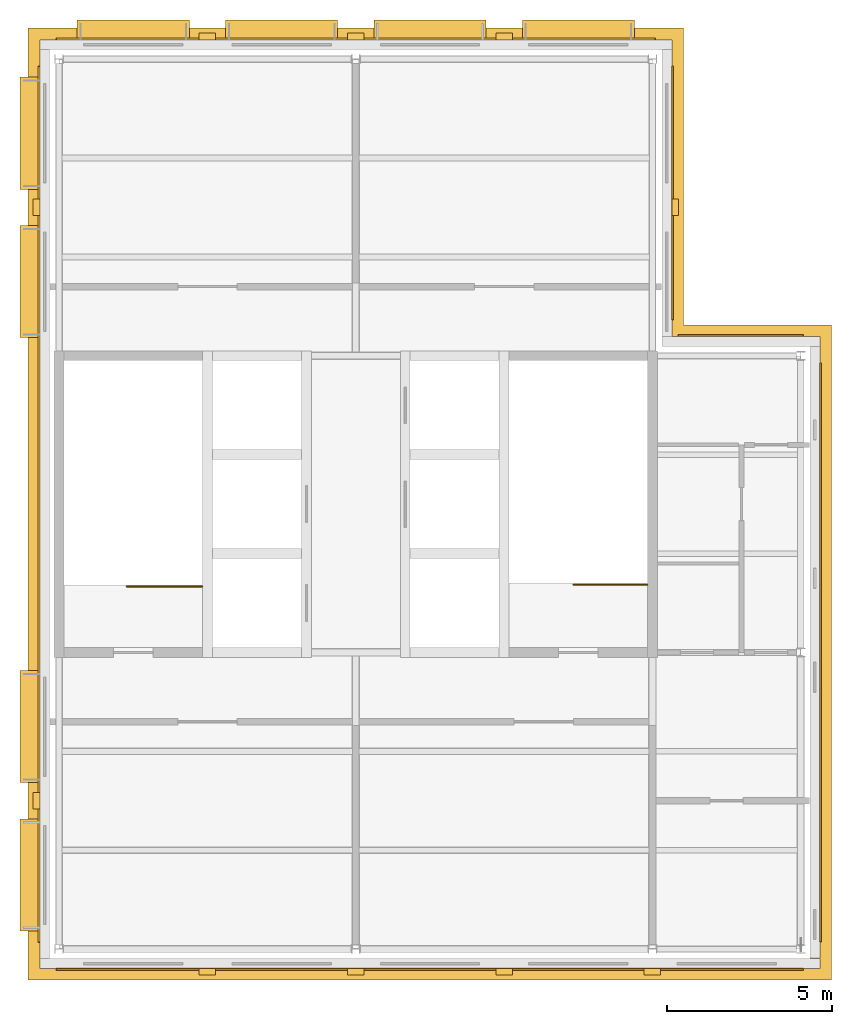
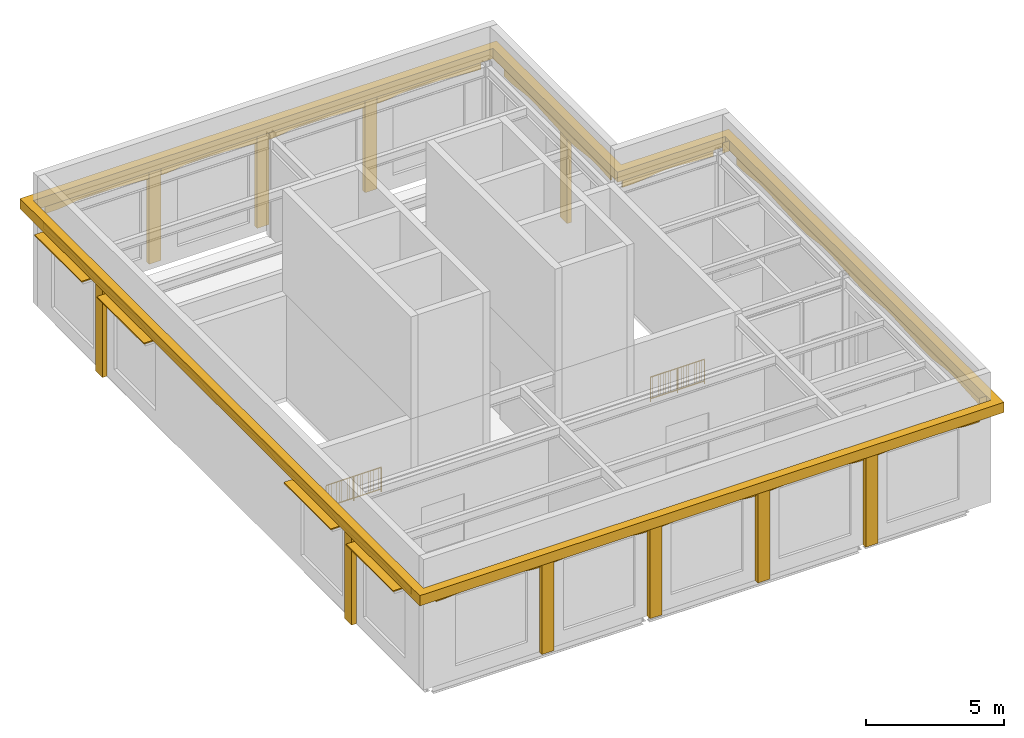
# One storey, part 4 of 4: 17 coverings, 8 shading devices, 2 railings.
"""IFC4 building model written with IfcOpenShell, lengths in metres."""

import ifcopenshell
import ifcopenshell.guid

model = None  # the IFC model being written
_history = None  # IfcOwnerHistory: only IFC2X3 demands one
_inside = {}  # id of a spatial element -> (the spatial element, [elements in it])
_under = {}  # id of a project, library or spatial element -> (it, [spatial elements below it])
_declared = {}  # id of a project -> (the project, [libraries it declares])
_typed = {}  # id of a type object -> (the type object, [elements of that type])
_made_of = {}  # id of a material, layer set ... -> (it, [elements and type objects made of it])


def new_model(schema):
    """Start an empty IFC model of exactly this schema.

    Asked for "IFC4X3", IfcOpenShell would pick the latest addendum, in which some entities
    have other attributes; the version numbers below select the first issue.
    IFC2X3 requires an IfcOwnerHistory on every rooted entity: one is made here for all.
    """
    global model, _history
    if schema == "IFC4X3":
        model = ifcopenshell.file(schema_version=(4, 3, 0, 0))
    else:
        model = ifcopenshell.file(schema=schema)
    _inside.clear()
    _under.clear()
    _declared.clear()
    _typed.clear()
    _made_of.clear()
    _history = None
    if model.schema == "IFC2X3":
        org = make("IfcOrganization", Name="unknown")
        user = make(
            "IfcPersonAndOrganization",
            ThePerson=make("IfcPerson", FamilyName="unknown"),
            TheOrganization=org,
        )
        app = make(
            "IfcApplication",
            ApplicationDeveloper=org,
            Version="unknown",
            ApplicationFullName="unknown",
            ApplicationIdentifier="unknown",
        )
        _history = make(
            "IfcOwnerHistory",
            OwningUser=user,
            OwningApplication=app,
            ChangeAction="ADDED",
            CreationDate=0,
        )
    return model


def make(cls, **values):
    """One entity of the class cls with the attributes given. An attribute that is None is left unset."""
    return model.create_entity(
        cls, **{name: value for name, value in values.items() if value is not None}
    )


def rooted(cls, **values):
    """An entity with a GlobalId (a new one), such as an element, a storey or a relation."""
    return make(cls, GlobalId=ifcopenshell.guid.new(), OwnerHistory=_history, **values)


def si_unit(unit_type, name, prefix=None):
    """IfcSIUnit, for example si_unit("LENGTHUNIT", "METRE", prefix="MILLI")."""
    return make("IfcSIUnit", UnitType=unit_type, Prefix=prefix, Name=name)


def assignment(units):
    """IfcUnitAssignment: the units of a project."""
    return None if units is None else make("IfcUnitAssignment", Units=units)


def point(xyz):
    """IfcCartesianPoint."""
    return None if xyz is None else make("IfcCartesianPoint", Coordinates=xyz)


def direction(xyz):
    """IfcDirection."""
    return None if xyz is None else make("IfcDirection", DirectionRatios=xyz)


def frame(location, z_axis=None, x_axis=None):
    """IfcAxis2Placement3D, a coordinate frame: its origin and axes. An axis left out is left unset."""
    return make(
        "IfcAxis2Placement3D",
        Location=point(location),
        Axis=direction(z_axis),
        RefDirection=direction(x_axis),
    )


def frame_2d(location, x_axis=None):
    """IfcAxis2Placement2D, a coordinate frame in the plane: its origin and x axis."""
    return make(
        "IfcAxis2Placement2D", Location=point(location), RefDirection=direction(x_axis)
    )


def origin():
    """The frame at (0, 0, 0) with its axes left unset."""
    return frame((0.0, 0.0, 0.0))


def origin_2d():
    """The frame at (0, 0) in the plane with its x axis left unset."""
    return frame_2d((0.0, 0.0))


def place(relative_to, where):
    """IfcLocalPlacement: puts the frame where relative to a parent placement (None: the world)."""
    return make(
        "IfcLocalPlacement", PlacementRelTo=relative_to, RelativePlacement=where
    )


def context(
    kind, dimensions, precision=None, world=None, true_north=None, identifier=None
):
    """IfcGeometricRepresentationContext, for example the 3D "Model" context."""
    return make(
        "IfcGeometricRepresentationContext",
        ContextIdentifier=identifier,
        ContextType=kind,
        CoordinateSpaceDimension=dimensions,
        Precision=precision,
        WorldCoordinateSystem=world,
        TrueNorth=true_north,
    )


def subcontext(parent, identifier, kind, view, scale=None):
    """IfcGeometricRepresentationSubContext, for example "Body" below "Model"."""
    return make(
        "IfcGeometricRepresentationSubContext",
        ContextIdentifier=identifier,
        ContextType=kind,
        ParentContext=parent,
        TargetScale=scale,
        TargetView=view,
    )


def project(units=None, contexts=None):
    """IfcProject with its units and contexts."""
    return rooted(
        "IfcProject",
        Name="project",
        RepresentationContexts=contexts,
        UnitsInContext=assignment(units),
    )


def spatial(cls, under=None, at=None, **own):
    """A site, building, storey or space (cls), placed at a placement, below another one or the project."""
    s = rooted(cls, ObjectPlacement=at, **own)
    if under is not None:
        _under.setdefault(under.id(), (under, []))[1].append(s)
    return s


def polyline(points):
    """IfcPolyline through the points."""
    return make("IfcPolyline", Points=[point(p) for p in points])


def profile(cls, at=None, kind="AREA", **sizes):
    """A parametric profile (cls). Its sizes go by their IFC names, for example OverallWidth=200.0."""
    return make(cls, ProfileType=kind, Position=at, **sizes)


def rectangle(**sizes):
    """IfcRectangleProfileDef."""
    return profile("IfcRectangleProfileDef", **sizes)


def circle(**sizes):
    """IfcCircleProfileDef."""
    return profile("IfcCircleProfileDef", **sizes)


def outline(outer, holes=None, kind="AREA"):
    """IfcArbitraryClosedProfileDef: a profile drawn as a closed curve; with holes, ...WithVoids."""
    if holes is None:
        return make("IfcArbitraryClosedProfileDef", ProfileType=kind, OuterCurve=outer)
    return make(
        "IfcArbitraryProfileDefWithVoids",
        ProfileType=kind,
        OuterCurve=outer,
        InnerCurves=holes,
    )


def extrude(swept, where, along, depth):
    """IfcExtrudedAreaSolid: the profile swept, set in the frame where, extruded along a direction by depth."""
    return make(
        "IfcExtrudedAreaSolid",
        SweptArea=swept,
        Position=where,
        ExtrudedDirection=direction(along),
        Depth=depth,
    )


def shape(context_of_items, identifier, shape_type, items):
    """IfcShapeRepresentation: the items that make up one representation, for example the "Body"."""
    return make(
        "IfcShapeRepresentation",
        ContextOfItems=context_of_items,
        RepresentationIdentifier=identifier,
        RepresentationType=shape_type,
        Items=items,
    )


def material(Name=None, Category=None):
    """IfcMaterial."""
    return make("IfcMaterial", Name=Name, Category=Category)


def layer(
    of_material, thickness, ventilated=None, Name=None, Category=None, Priority=None
):
    """IfcMaterialLayer: one layer of a wall or slab, of a material (None: an air gap)."""
    return make(
        "IfcMaterialLayer",
        Material=of_material,
        LayerThickness=thickness,
        IsVentilated=ventilated,
        Name=Name,
        Category=Category,
        Priority=Priority,
    )


def layer_set(layers, Name=None):
    """IfcMaterialLayerSet."""
    return make("IfcMaterialLayerSet", MaterialLayers=layers, LayerSetName=Name)


def made_of(thing, what):
    """Note that an element or type object is made of a material, layer set ...; save() writes the relation."""
    if what is not None:
        _made_of.setdefault(what.id(), (what, []))[1].append(thing)
    return thing


def type_object(cls, material=None, **own):
    """A type object (cls), such as IfcWallType, which elements share."""
    return made_of(rooted(cls, **own), material)


def element(
    cls,
    number,
    at=None,
    inside=None,
    cuts=None,
    type_object=None,
    material=None,
    context=None,
    identifier="Body",
    shape_type=None,
    held_by="IfcProductDefinitionShape",
    body=None,
    shapes=None,
    **own,
):
    """One element of the class cls, such as IfcWall. Its Tag is "e" and its number.

    at: its placement. inside: the storey or other place that contains it. cuts: it is an
    opening in that element (IfcRelVoidsElement). A single representation is given by context,
    identifier, shape_type and body (its items); several are given by shapes. held_by: the class
    of the entity that holds the representations. save() writes the other relations.
    """
    e = rooted(cls, Tag="e%d" % number, ObjectPlacement=at, **own)
    if body is not None:
        shapes = [shape(context, identifier, shape_type, body)]
    if shapes is not None:
        e.Representation = make(held_by, Representations=shapes)
    if inside is not None:
        _inside.setdefault(inside.id(), (inside, []))[1].append(e)
    if cuts is not None:
        rooted(
            "IfcRelVoidsElement", RelatingBuildingElement=cuts, RelatedOpeningElement=e
        )
    if type_object is not None:
        _typed.setdefault(type_object.id(), (type_object, []))[1].append(e)
    return made_of(e, material)


def aggregate(whole, parts):
    """IfcRelAggregates: a whole, such as a stair, and the parts it consists of."""
    return rooted("IfcRelAggregates", RelatingObject=whole, RelatedObjects=parts)


def save(model, path):
    """Write the relations noted so far, then the file.

    IfcRelAggregates (storeys below a building ...), IfcRelContainedInSpatialStructure (elements
    in a storey), IfcRelDefinesByType, IfcRelAssociatesMaterial and IfcRelDeclares: one each for
    every whole, place, type object, material and project.
    """
    for whole, parts in _under.values():
        aggregate(whole, parts)
    for where, things in _inside.values():
        rooted(
            "IfcRelContainedInSpatialStructure",
            RelatedElements=things,
            RelatingStructure=where,
        )
    for kind, things in _typed.values():
        rooted("IfcRelDefinesByType", RelatedObjects=things, RelatingType=kind)
    for what, things in _made_of.values():
        rooted("IfcRelAssociatesMaterial", RelatedObjects=things, RelatingMaterial=what)
    for by, libraries in _declared.values():
        rooted("IfcRelDeclares", RelatingContext=by, RelatedDefinitions=libraries)
    model.write(path)


model = new_model("IFC4")

# Units and contexts
model_context = context("Model", 3, precision=1e-05, world=origin(), true_north=direction((0.0, 1.0)))
body_context = subcontext(model_context, "Body", "Model", "MODEL_VIEW")
ifc_project = project(units=[si_unit("LENGTHUNIT", "METRE"), si_unit("AREAUNIT", "SQUARE_METRE"), si_unit("VOLUMEUNIT", "CUBIC_METRE"), si_unit("PLANEANGLEUNIT", "RADIAN"), si_unit("MASSUNIT", "GRAM", prefix="KILO")], contexts=[model_context])

# Site, building, storey
site_placement = place(None, origin())
site = spatial("IfcSite", under=ifc_project, at=site_placement, CompositionType="ELEMENT")
building_placement = place(site_placement, origin())
building = spatial("IfcBuilding", under=site, at=building_placement, Name="Hortulan Conservatory and Botanical Research Centre", CompositionType="ELEMENT")
storey_placement = place(building_placement, frame((0.0, 0.0, 69.89990234375)))
storey = spatial("IfcBuildingStorey", under=building, at=storey_placement, Name="L16", CompositionType="ELEMENT", Elevation=69.89990234375)

# Shading devices
ifc_material_1 = material(Name="Bronze-finished perforated aluminium", Category="aluminium")
ifc_layer_1 = layer(ifc_material_1, 0.050048828125)
ifc_layer_set_1 = layer_set([ifc_layer_1], Name="Brise-soleil Blade 600x50")
shading_device_type = type_object("IfcShadingDeviceType", Name="Brise-soleil Blade 600x50", PredefinedType="USERDEFINED", material=ifc_layer_set_1)
for number, where, z_axis, x_axis, name in (
    (1, (8.114013671875, 2.25, 3.85009765625), (0.0, 0.0, 1.0), (0.0, 1.0, 0.0), "Brise-soleil blade"),
    (2, (8.114013671875, 6.75, 3.85009765625), (0.0, 0.0, 1.0), (0.0, 1.0, 0.0), "Brise-soleil blade"),
    (3, (8.114013671875, 20.25, 3.85009765625), (0.0, 0.0, 1.0), (0.0, 1.0, 0.0), "Brise-soleil blade"),
    (4, (8.114013671875, 24.75, 3.85009765625), (0.0, 0.0, 1.0), (0.0, 1.0, 0.0), "Brise-soleil blade"),
    (5, (11.25, 27.885986328125, 3.85009765625), (0.0, 0.0, 1.0), (1.0, 0.0, 0.0), "Brise-soleil blade"),
    (6, (15.75, 27.885986328125, 3.85009765625), (0.0, 0.0, 1.0), (1.0, 0.0, 0.0), "Brise-soleil blade"),
    (7, (20.25, 27.885986328125, 3.85009765625), (0.0, 0.0, 1.0), (1.0, 0.0, 0.0), "Brise-soleil blade"),
    (8, (24.75, 27.885986328125, 3.85009765625), (0.0, 0.0, 1.0), (1.0, 0.0, 0.0), "Brise-soleil blade"),
):
    element("IfcShadingDevice", number, at=place(storey_placement, frame(where, z_axis=z_axis, x_axis=x_axis)), inside=storey, type_object=shading_device_type, Name=name, ObjectType="Brise-soleil blade", PredefinedType="USERDEFINED", context=body_context, shape_type="SweptSolid", body=[
        extrude(rectangle(XDim=3.39990234375, YDim=0.60009765625, at=origin_2d()), origin(), (0.0, 0.0, 1.0), 0.050048828125),
    ])

# Railings
ifc_material_2 = material(Name="Steel balustrade, bronze-charcoal paint", Category="steel")
railing_type = type_object("IfcRailingType", Name="Stair Guard 1100", PredefinedType="GUARDRAIL", material=ifc_material_2)
railing_1_placement = place(storey_placement, frame((13.35009765625, 11.0, 0.0)))
element("IfcRailing", 9, at=railing_1_placement, inside=storey, type_object=railing_type, Name="Guard T1 L16 stair well 1", PredefinedType="GUARDRAIL", context=body_context, shape_type="SweptSolid", body=[
    extrude(circle(Radius=0.02392578125, at=origin_2d()), frame((0.0, 0.0, 1.076171875), z_axis=(-1.0, 0.0, 0.0), x_axis=(0.0, -1.0, 0.0)), (0.0, 0.0, 1.0), 2.300048828125),
    extrude(circle(Radius=0.02392578125, at=origin_2d()), frame((0.0, 0.0, 0.1240234375), z_axis=(-1.0, 0.0, 0.0), x_axis=(0.0, -1.0, 0.0)), (0.0, 0.0, 1.0), 2.300048828125),
    extrude(circle(Radius=0.008056640625, at=origin_2d()), frame((-0.109619140625, 0.0, 0.148193359375)), (0.0, 0.0, 1.0), 0.90380859375),
    extrude(circle(Radius=0.008056640625, at=origin_2d()), frame((-0.218994140625, 0.0, 0.148193359375)), (0.0, 0.0, 1.0), 0.90380859375),
    extrude(circle(Radius=0.008056640625, at=origin_2d()), frame((-0.32861328125, 0.0, 0.148193359375)), (0.0, 0.0, 1.0), 0.90380859375),
    extrude(circle(Radius=0.008056640625, at=origin_2d()), frame((-0.43798828125, 0.0, 0.148193359375)), (0.0, 0.0, 1.0), 0.90380859375),
    extrude(circle(Radius=0.008056640625, at=origin_2d()), frame((-0.547607421875, 0.0, 0.148193359375)), (0.0, 0.0, 1.0), 0.90380859375),
    extrude(circle(Radius=0.008056640625, at=origin_2d()), frame((-0.6572265625, 0.0, 0.148193359375)), (0.0, 0.0, 1.0), 0.90380859375),
    extrude(circle(Radius=0.008056640625, at=origin_2d()), frame((-0.7666015625, 0.0, 0.148193359375)), (0.0, 0.0, 1.0), 0.90380859375),
    extrude(circle(Radius=0.008056640625, at=origin_2d()), frame((-0.876220703125, 0.0, 0.148193359375)), (0.0, 0.0, 1.0), 0.90380859375),
    extrude(circle(Radius=0.008056640625, at=origin_2d()), frame((-0.98583984375, 0.0, 0.148193359375)), (0.0, 0.0, 1.0), 0.90380859375),
    extrude(circle(Radius=0.008056640625, at=origin_2d()), frame((-1.09521484375, 0.0, 0.148193359375)), (0.0, 0.0, 1.0), 0.90380859375),
    extrude(circle(Radius=0.008056640625, at=origin_2d()), frame((-1.204833984375, 0.0, 0.148193359375)), (0.0, 0.0, 1.0), 0.90380859375),
    extrude(circle(Radius=0.008056640625, at=origin_2d()), frame((-1.314208984375, 0.0, 0.148193359375)), (0.0, 0.0, 1.0), 0.90380859375),
    extrude(circle(Radius=0.008056640625, at=origin_2d()), frame((-1.423828125, 0.0, 0.148193359375)), (0.0, 0.0, 1.0), 0.90380859375),
    extrude(circle(Radius=0.008056640625, at=origin_2d()), frame((-1.533447265625, 0.0, 0.148193359375)), (0.0, 0.0, 1.0), 0.90380859375),
    extrude(circle(Radius=0.008056640625, at=origin_2d()), frame((-1.642822265625, 0.0, 0.148193359375)), (0.0, 0.0, 1.0), 0.90380859375),
    extrude(circle(Radius=0.008056640625, at=origin_2d()), frame((-1.75244140625, 0.0, 0.148193359375)), (0.0, 0.0, 1.0), 0.90380859375),
    extrude(circle(Radius=0.008056640625, at=origin_2d()), frame((-1.862060546875, 0.0, 0.148193359375)), (0.0, 0.0, 1.0), 0.90380859375),
    extrude(circle(Radius=0.008056640625, at=origin_2d()), frame((-1.971435546875, 0.0, 0.148193359375)), (0.0, 0.0, 1.0), 0.90380859375),
    extrude(circle(Radius=0.008056640625, at=origin_2d()), frame((-2.0810546875, 0.0, 0.148193359375)), (0.0, 0.0, 1.0), 0.90380859375),
    extrude(circle(Radius=0.008056640625, at=origin_2d()), frame((-2.1904296875, 0.0, 0.148193359375)), (0.0, 0.0, 1.0), 0.90380859375),
    extrude(circle(Radius=0.02099609375, at=origin_2d()), origin(), (0.0, 0.0, 1.0), 1.052001953125),
    extrude(circle(Radius=0.02099609375, at=origin_2d()), frame((-1.14990234375, 0.0, 0.0)), (0.0, 0.0, 1.0), 1.052001953125),
    extrude(circle(Radius=0.02099609375, at=origin_2d()), frame((-2.300048828125, 0.0, 0.0)), (0.0, 0.0, 1.0), 1.052001953125),
])
railing_2_placement = place(storey_placement, frame((26.85009765625, 11.050048828125, 0.0)))
element("IfcRailing", 10, at=railing_2_placement, inside=storey, type_object=railing_type, Name="Guard T2 L16 stair well 1", PredefinedType="GUARDRAIL", context=body_context, shape_type="SweptSolid", body=[
    extrude(circle(Radius=0.02392578125, at=origin_2d()), frame((0.0, 0.0, 1.076171875), z_axis=(-1.0, 0.0, 0.0), x_axis=(0.0, -1.0, 0.0)), (0.0, 0.0, 1.0), 2.25),
    extrude(circle(Radius=0.02392578125, at=origin_2d()), frame((0.0, 0.0, 0.1240234375), z_axis=(-1.0, 0.0, 0.0), x_axis=(0.0, -1.0, 0.0)), (0.0, 0.0, 1.0), 2.25),
    extrude(circle(Radius=0.008056640625, at=origin_2d()), frame((-0.107177734375, 0.0, 0.148193359375)), (0.0, 0.0, 1.0), 0.90380859375),
    extrude(circle(Radius=0.008056640625, at=origin_2d()), frame((-0.21435546875, 0.0, 0.148193359375)), (0.0, 0.0, 1.0), 0.90380859375),
    extrude(circle(Radius=0.008056640625, at=origin_2d()), frame((-0.321533203125, 0.0, 0.148193359375)), (0.0, 0.0, 1.0), 0.90380859375),
    extrude(circle(Radius=0.008056640625, at=origin_2d()), frame((-0.428466796875, 0.0, 0.148193359375)), (0.0, 0.0, 1.0), 0.90380859375),
    extrude(circle(Radius=0.008056640625, at=origin_2d()), frame((-0.53564453125, 0.0, 0.148193359375)), (0.0, 0.0, 1.0), 0.90380859375),
    extrude(circle(Radius=0.008056640625, at=origin_2d()), frame((-0.642822265625, 0.0, 0.148193359375)), (0.0, 0.0, 1.0), 0.90380859375),
    extrude(circle(Radius=0.008056640625, at=origin_2d()), frame((-0.75, 0.0, 0.148193359375)), (0.0, 0.0, 1.0), 0.90380859375),
    extrude(circle(Radius=0.008056640625, at=origin_2d()), frame((-0.857177734375, 0.0, 0.148193359375)), (0.0, 0.0, 1.0), 0.90380859375),
    extrude(circle(Radius=0.008056640625, at=origin_2d()), frame((-0.96435546875, 0.0, 0.148193359375)), (0.0, 0.0, 1.0), 0.90380859375),
    extrude(circle(Radius=0.008056640625, at=origin_2d()), frame((-1.071533203125, 0.0, 0.148193359375)), (0.0, 0.0, 1.0), 0.90380859375),
    extrude(circle(Radius=0.008056640625, at=origin_2d()), frame((-1.178466796875, 0.0, 0.148193359375)), (0.0, 0.0, 1.0), 0.90380859375),
    extrude(circle(Radius=0.008056640625, at=origin_2d()), frame((-1.28564453125, 0.0, 0.148193359375)), (0.0, 0.0, 1.0), 0.90380859375),
    extrude(circle(Radius=0.008056640625, at=origin_2d()), frame((-1.392822265625, 0.0, 0.148193359375)), (0.0, 0.0, 1.0), 0.90380859375),
    extrude(circle(Radius=0.008056640625, at=origin_2d()), frame((-1.5, 0.0, 0.148193359375)), (0.0, 0.0, 1.0), 0.90380859375),
    extrude(circle(Radius=0.008056640625, at=origin_2d()), frame((-1.607177734375, 0.0, 0.148193359375)), (0.0, 0.0, 1.0), 0.90380859375),
    extrude(circle(Radius=0.008056640625, at=origin_2d()), frame((-1.71435546875, 0.0, 0.148193359375)), (0.0, 0.0, 1.0), 0.90380859375),
    extrude(circle(Radius=0.008056640625, at=origin_2d()), frame((-1.821533203125, 0.0, 0.148193359375)), (0.0, 0.0, 1.0), 0.90380859375),
    extrude(circle(Radius=0.008056640625, at=origin_2d()), frame((-1.928466796875, 0.0, 0.148193359375)), (0.0, 0.0, 1.0), 0.90380859375),
    extrude(circle(Radius=0.008056640625, at=origin_2d()), frame((-2.03564453125, 0.0, 0.148193359375)), (0.0, 0.0, 1.0), 0.90380859375),
    extrude(circle(Radius=0.008056640625, at=origin_2d()), frame((-2.142822265625, 0.0, 0.148193359375)), (0.0, 0.0, 1.0), 0.90380859375),
    extrude(circle(Radius=0.02099609375, at=origin_2d()), origin(), (0.0, 0.0, 1.0), 1.052001953125),
    extrude(circle(Radius=0.02099609375, at=origin_2d()), frame((-1.125, 0.0, 0.0)), (0.0, 0.0, 1.0), 1.052001953125),
    extrude(circle(Radius=0.02099609375, at=origin_2d()), frame((-2.25, 0.0, 0.0)), (0.0, 0.0, 1.0), 1.052001953125),
])

# Coverings
ifc_material_3 = material(Name="Verdigris copper-green zinc cladding on lightweight framing", Category="metal")
covering_type_1 = type_object("IfcCoveringType", Name="Verdigris Cornice 350", PredefinedType="CLADDING", material=ifc_material_3)
covering_1_placement = place(storey_placement, frame((0.0, 0.0, 4.050048828125)))
element("IfcCovering", 11, at=covering_1_placement, inside=storey, type_object=covering_type_1, Name="Cornice", PredefinedType="CLADDING", context=body_context, shape_type="SweptSolid", body=[
    extrude(outline(polyline([(32.425048828125, -0.285888671875), (32.425048828125, -0.625), (32.425048828125, -0.93603515625), (8.06396484375, -0.93603515625), (8.06396484375, -0.635986328125), (8.06396484375, -0.285888671875), (8.06396484375, 27.285888671875), (8.06396484375, 27.635986328125), (8.06396484375, 27.93603515625), (27.93603515625, 27.93603515625), (27.93603515625, 27.635986328125), (27.93603515625, 27.285888671875), (27.93603515625, 18.93603515625), (32.425048828125, 18.93603515625), (32.425048828125, 18.625), (32.425048828125, 18.285888671875), (32.425048828125, -0.285888671875)]), holes=[polyline([(31.77490234375, -0.27490234375), (32.074951171875, -0.27490234375), (32.074951171875, -0.27490234375), (32.074951171875, -0.27490234375), (32.074951171875, -0.27490234375), (32.074951171875, -0.27490234375), (32.074951171875, -0.27490234375), (32.074951171875, -0.27490234375), (32.074951171875, -0.27490234375), (32.074951171875, -0.27490234375), (32.074951171875, -0.27490234375), (32.074951171875, -0.27490234375), (32.074951171875, -0.27490234375), (32.074951171875, -0.27490234375), (32.074951171875, -0.27490234375), (32.074951171875, -0.27490234375), (32.074951171875, -0.27490234375), (32.074951171875, -0.27490234375), (32.074951171875, 18.27490234375), (32.074951171875, 18.27490234375), (32.074951171875, 18.27490234375), (32.074951171875, 18.27490234375), (32.074951171875, 18.27490234375), (32.074951171875, 18.27490234375), (32.074951171875, 18.27490234375), (32.074951171875, 18.27490234375), (32.074951171875, 18.27490234375), (32.074951171875, 18.27490234375), (32.074951171875, 18.27490234375), (32.074951171875, 18.27490234375), (32.074951171875, 18.27490234375), (32.074951171875, 18.27490234375), (32.074951171875, 18.27490234375), (32.074951171875, 18.27490234375), (32.074951171875, 18.27490234375), (31.77490234375, 18.27490234375), (31.77490234375, 18.285888671875), (32.074951171875, 18.285888671875), (32.074951171875, 18.285888671875), (32.074951171875, 18.285888671875), (32.074951171875, 18.285888671875), (32.074951171875, 18.285888671875), (32.074951171875, 18.285888671875), (32.074951171875, 18.285888671875), (32.074951171875, 18.285888671875), (32.074951171875, 18.285888671875), (32.074951171875, 18.285888671875), (32.074951171875, 18.285888671875), (32.074951171875, 18.285888671875), (32.074951171875, 18.285888671875), (32.074951171875, 18.285888671875), (32.074951171875, 18.285888671875), (32.074951171875, 18.285888671875), (32.074951171875, 18.285888671875), (32.074951171875, 18.5859375), (32.074951171875, 18.5859375), (32.074951171875, 18.5859375), (32.074951171875, 18.5859375), (32.074951171875, 18.5859375), (32.074951171875, 18.5859375), (32.074951171875, 18.5859375), (32.074951171875, 18.5859375), (32.074951171875, 18.5859375), (32.074951171875, 18.5859375), (32.074951171875, 18.5859375), (32.074951171875, 18.5859375), (32.074951171875, 18.5859375), (32.074951171875, 18.5859375), (32.074951171875, 18.5859375), (32.074951171875, 18.5859375), (32.074951171875, 18.5859375), (27.5859375, 18.5859375), (27.5859375, 27.5859375), (27.5859375, 27.5859375), (27.5859375, 27.5859375), (27.5859375, 27.5859375), (27.5859375, 27.5859375), (27.5859375, 27.5859375), (27.5859375, 27.5859375), (27.5859375, 27.5859375), (27.5859375, 27.5859375), (27.5859375, 27.5859375), (27.5859375, 27.5859375), (27.5859375, 27.5859375), (27.5859375, 27.5859375), (27.5859375, 27.5859375), (27.5859375, 27.5859375), (27.5859375, 27.5859375), (27.5859375, 27.5859375), (8.4140625, 27.5859375), (8.4140625, 27.5859375), (8.4140625, 27.5859375), (8.4140625, 27.5859375), (8.4140625, 27.5859375), (8.4140625, 27.5859375), (8.4140625, 27.5859375), (8.4140625, 27.5859375), (8.4140625, 27.5859375), (8.4140625, 27.5859375), (8.4140625, 27.5859375), (8.4140625, 27.5859375), (8.4140625, 27.5859375), (8.4140625, 27.5859375), (8.4140625, 27.5859375), (8.4140625, 27.5859375), (8.4140625, 27.5859375), (8.4140625, -0.5859375), (8.4140625, -0.5859375), (8.4140625, -0.5859375), (8.4140625, -0.5859375), (8.4140625, -0.5859375), (8.4140625, -0.5859375), (8.4140625, -0.5859375), (8.4140625, -0.5859375), (8.4140625, -0.5859375), (8.4140625, -0.5859375), (8.4140625, -0.5859375), (8.4140625, -0.5859375), (8.4140625, -0.5859375), (8.4140625, -0.5859375), (8.4140625, -0.5859375), (8.4140625, -0.5859375), (8.4140625, -0.5859375), (32.074951171875, -0.5859375), (32.074951171875, -0.5859375), (32.074951171875, -0.5859375), (32.074951171875, -0.5859375), (32.074951171875, -0.5859375), (32.074951171875, -0.5859375), (32.074951171875, -0.5859375), (32.074951171875, -0.5859375), (32.074951171875, -0.5859375), (32.074951171875, -0.5859375), (32.074951171875, -0.5859375), (32.074951171875, -0.5859375), (32.074951171875, -0.5859375), (32.074951171875, -0.5859375), (32.074951171875, -0.5859375), (32.074951171875, -0.5859375), (32.074951171875, -0.5859375), (32.074951171875, -0.285888671875), (32.074951171875, -0.285888671875), (32.074951171875, -0.285888671875), (32.074951171875, -0.285888671875), (32.074951171875, -0.285888671875), (32.074951171875, -0.285888671875), (32.074951171875, -0.285888671875), (32.074951171875, -0.285888671875), (32.074951171875, -0.285888671875), (32.074951171875, -0.285888671875), (32.074951171875, -0.285888671875), (32.074951171875, -0.285888671875), (32.074951171875, -0.285888671875), (32.074951171875, -0.285888671875), (32.074951171875, -0.285888671875), (32.074951171875, -0.285888671875), (32.074951171875, -0.285888671875), (31.77490234375, -0.285888671875), (31.77490234375, -0.27490234375)])]), origin(), (0.0, 0.0, 1.0), 0.449951171875),
])
ifc_layer_2 = layer(ifc_material_3, 0.199951171875)
ifc_layer_set_2 = layer_set([ifc_layer_2], Name="Verdigris Zinc Pilaster 500x200")
covering_type_2 = type_object("IfcCoveringType", Name="Verdigris Zinc Pilaster 500x200", PredefinedType="CLADDING", material=ifc_layer_set_2)
for number, where, z_axis, x_axis, name in (
    (12, (27.0, -0.68603515625, 0.0), (0.0, 0.0, 1.0), (-1.0, 0.0, 0.0), "Pier"),
    (13, (22.5, -0.68603515625, 0.0), (0.0, 0.0, 1.0), (-1.0, 0.0, 0.0), "Pier"),
    (14, (18.0, -0.68603515625, 0.0), (0.0, 0.0, 1.0), (-1.0, 0.0, 0.0), "Pier"),
    (15, (13.5, -0.68603515625, 0.0), (0.0, 0.0, 1.0), (-1.0, 0.0, 0.0), "Pier"),
    (16, (8.31396484375, 4.5, 0.0), (0.0, 0.0, 1.0), (0.0, 1.0, 0.0), "Pier"),
    (17, (8.31396484375, 22.5, 0.0), (0.0, 0.0, 1.0), (0.0, 1.0, 0.0), "Pier"),
    (18, (13.5, 27.68603515625, 0.0), (0.0, 0.0, 1.0), (1.0, 0.0, 0.0), "Pier"),
    (19, (18.0, 27.68603515625, 0.0), (0.0, 0.0, 1.0), (1.0, 0.0, 0.0), "Pier"),
    (20, (22.5, 27.68603515625, 0.0), (0.0, 0.0, 1.0), (1.0, 0.0, 0.0), "Pier"),
    (21, (27.68603515625, 22.5, 0.0), (0.0, 0.0, 1.0), (0.0, -1.0, 0.0), "Pier"),
):
    element("IfcCovering", number, at=place(storey_placement, frame(where, z_axis=z_axis, x_axis=x_axis)), inside=storey, type_object=covering_type_2, Name=name, PredefinedType="CLADDING", context=body_context, shape_type="SweptSolid", body=[
        extrude(rectangle(XDim=0.5, YDim=0.199951171875, at=origin_2d()), origin(), (0.0, 0.0, 1.0), 4.050048828125),
    ])
ifc_material_4 = material(Name="Faience cladding, wattle ochre glaze (non-combustible)", Category="ceramic")
ifc_layer_3 = layer(ifc_material_4, 0.050048828125)
ifc_layer_set_3 = layer_set([ifc_layer_3], Name="Whiplash Crown Frieze Panel 50")
covering_type_3 = type_object("IfcCoveringType", Name="Whiplash Crown Frieze Panel 50", PredefinedType="CLADDING", material=ifc_layer_set_3)
covering_2_placement = place(storey_placement, frame((31.574951171875, -0.611083984375, 3.75), z_axis=(0.0, 0.0, 1.0), x_axis=(-1.0, 0.0, 0.0)))
element("IfcCovering", 22, at=covering_2_placement, inside=storey, type_object=covering_type_3, Name="Whiplash crown frieze", PredefinedType="CLADDING", context=body_context, shape_type="SweptSolid", body=[
    extrude(outline(polyline([(0.0, 0.0), (0.27978515625, 0.0), (0.5595703125, 0.00390625), (0.83935546875, 0.033203125), (1.119140625, 0.07421875), (1.398681640625, 0.115478515625), (1.6787109375, 0.1455078125), (1.95849609375, 0.150146484375), (2.238037109375, 0.150146484375), (2.517822265625, 0.1328125), (2.797607421875, 0.111083984375), (3.077392578125, 0.092041015625), (3.357177734375, 0.076171875), (3.636962890625, 0.060302734375), (3.916748046875, 0.04150390625), (4.196533203125, 0.020263671875), (4.476318359375, 0.001220703125), (4.756103515625, 0.0), (5.035888671875, 0.002197265625), (5.3154296875, 0.030029296875), (5.59521484375, 0.070556640625), (5.875, 0.1123046875), (6.15478515625, 0.1435546875), (6.4345703125, 0.150146484375), (6.71435546875, 0.150146484375), (6.994140625, 0.13427734375), (7.27392578125, 0.113037109375), (7.5537109375, 0.093505859375), (7.83349609375, 0.077392578125), (8.11328125, 0.061767578125), (8.39306640625, 0.043212890625), (8.672607421875, 0.02197265625), (8.952392578125, 0.002685546875), (9.232421875, 0.0), (9.511962890625, 0.00048828125), (9.791748046875, 0.027099609375), (10.071533203125, 0.06689453125), (10.351318359375, 0.10888671875), (10.631103515625, 0.1416015625), (10.910888671875, 0.150146484375), (11.190673828125, 0.150146484375), (11.470458984375, 0.13623046875), (11.75, 0.11474609375), (12.02978515625, 0.09521484375), (12.309814453125, 0.07861328125), (12.58935546875, 0.06298828125), (12.869140625, 0.044921875), (13.14892578125, 0.02392578125), (13.4287109375, 0.00390625), (13.70849609375, 0.0), (13.98828125, 0.0), (14.26806640625, 0.024169921875), (14.5478515625, 0.063232421875), (14.82763671875, 0.105712890625), (15.107421875, 0.139404296875), (15.38720703125, 0.150146484375), (15.6669921875, 0.150146484375), (15.946533203125, 0.137939453125), (16.226318359375, 0.11669921875), (16.506103515625, 0.0966796875), (16.785888671875, 0.080078125), (17.065673828125, 0.064453125), (17.345458984375, 0.046630859375), (17.625244140625, 0.025634765625), (17.905029296875, 0.005615234375), (18.184814453125, 0.0), (18.464599609375, 0.0), (18.744384765625, 0.021484375), (19.02392578125, 0.0595703125), (19.3037109375, 0.102294921875), (19.58349609375, 0.13720703125), (19.86328125, 0.150146484375), (20.14306640625, 0.150146484375), (20.4228515625, 0.1396484375), (20.70263671875, 0.118408203125), (20.982421875, 0.09814453125), (21.26220703125, 0.081298828125), (21.5419921875, 0.06591796875), (21.82177734375, 0.04833984375), (22.1015625, 0.027587890625), (22.381103515625, 0.007080078125), (22.660888671875, 0.0), (22.660888671875, 0.300048828125), (0.0, 0.300048828125), (0.0, 0.0)])), frame((0.0, 0.02490234375, 0.0), z_axis=(0.0, -1.0, 0.0), x_axis=(1.0, 0.0, 0.0)), (0.0, 0.0, 1.0), 0.050048828125),
])
covering_3_placement = place(storey_placement, frame((8.388916015625, 0.214111328125, 3.75), z_axis=(0.0, 0.0, 1.0), x_axis=(0.0, 1.0, 0.0)))
element("IfcCovering", 23, at=covering_3_placement, inside=storey, type_object=covering_type_3, Name="Whiplash crown frieze", PredefinedType="CLADDING", context=body_context, shape_type="SweptSolid", body=[
    extrude(outline(polyline([(0.0, 0.0), (0.28271484375, 0.0), (0.5654296875, 0.00439453125), (0.847900390625, 0.0341796875), (1.130615234375, 0.075927734375), (1.413330078125, 0.117431640625), (1.696044921875, 0.146728515625), (1.978759765625, 0.150146484375), (2.261474609375, 0.1494140625), (2.544189453125, 0.130615234375), (2.826904296875, 0.109130859375), (3.109619140625, 0.090087890625), (3.39208984375, 0.07421875), (3.6748046875, 0.05810546875), (3.95751953125, 0.03857421875), (4.240234375, 0.016845703125), (4.52294921875, 0.0), (4.8056640625, 0.0), (5.08837890625, 0.006103515625), (5.370849609375, 0.037353515625), (5.653564453125, 0.07958984375), (5.936279296875, 0.120361328125), (6.218994140625, 0.148193359375), (6.501708984375, 0.150146484375), (6.7841796875, 0.148193359375), (7.06689453125, 0.12890625), (7.349609375, 0.107421875), (7.63232421875, 0.088623046875), (7.9150390625, 0.072998046875), (8.19775390625, 0.056396484375), (8.48046875, 0.036865234375), (8.76318359375, 0.01513671875), (9.0458984375, 0.0), (9.32861328125, 0.0), (9.611083984375, 0.008056640625), (9.893798828125, 0.04052734375), (10.176513671875, 0.0830078125), (10.459228515625, 0.123291015625), (10.741943359375, 0.14990234375), (11.024658203125, 0.150146484375), (11.30712890625, 0.14697265625), (11.58984375, 0.127197265625), (11.87255859375, 0.105712890625), (12.1552734375, 0.08740234375), (12.43798828125, 0.07177734375), (12.720703125, 0.05517578125), (13.00341796875, 0.03515625), (13.285888671875, 0.013671875), (13.568603515625, 0.0), (13.851318359375, 0.0), (14.134033203125, 0.010009765625), (14.416748046875, 0.043701171875), (14.699462890625, 0.086669921875), (14.982177734375, 0.1259765625), (15.264892578125, 0.150146484375), (15.54736328125, 0.150146484375), (15.830078125, 0.1455078125), (16.11279296875, 0.12548828125), (16.3955078125, 0.10400390625), (16.67822265625, 0.086181640625), (16.9609375, 0.0703125), (17.243408203125, 0.0537109375), (17.526123046875, 0.033447265625), (17.808837890625, 0.011962890625), (18.091552734375, 0.0), (18.374267578125, 0.0), (18.656982421875, 0.01220703125), (18.939697265625, 0.047119140625), (19.222412109375, 0.090087890625), (19.5048828125, 0.12890625), (19.78759765625, 0.150146484375), (20.0703125, 0.150146484375), (20.35302734375, 0.144287109375), (20.6357421875, 0.12353515625), (20.91845703125, 0.1025390625), (21.201171875, 0.084716796875), (21.483642578125, 0.069091796875), (21.766357421875, 0.052001953125), (22.049072265625, 0.031494140625), (22.331787109375, 0.01025390625), (22.614501953125, 0.0), (22.897216796875, 0.0), (23.1796875, 0.014404296875), (23.46240234375, 0.05029296875), (23.7451171875, 0.093505859375), (24.02783203125, 0.13134765625), (24.310546875, 0.150146484375), (24.59326171875, 0.150146484375), (24.8759765625, 0.142578125), (25.15869140625, 0.121826171875), (25.44140625, 0.100830078125), (25.72412109375, 0.08349609375), (26.006591796875, 0.06787109375), (26.289306640625, 0.050537109375), (26.572021484375, 0.02978515625), (26.572021484375, 0.300048828125), (0.0, 0.300048828125), (0.0, 0.0)])), frame((0.0, 0.02490234375, 0.0), z_axis=(0.0, -1.0, 0.0), x_axis=(1.0, 0.0, 0.0)), (0.0, 0.0, 1.0), 0.050048828125),
])
covering_4_placement = place(storey_placement, frame((8.9140625, 27.611083984375, 3.75), z_axis=(0.0, 0.0, 1.0), x_axis=(1.0, 0.0, 0.0)))
element("IfcCovering", 24, at=covering_4_placement, inside=storey, type_object=covering_type_3, Name="Whiplash crown frieze", PredefinedType="CLADDING", context=body_context, shape_type="SweptSolid", body=[
    extrude(outline(polyline([(0.0, 0.0), (0.279541015625, 0.0), (0.55908203125, 0.00390625), (0.838623046875, 0.032958984375), (1.118408203125, 0.07421875), (1.397705078125, 0.115478515625), (1.677490234375, 0.1455078125), (1.95703125, 0.150146484375), (2.236572265625, 0.150146484375), (2.51611328125, 0.1328125), (2.795654296875, 0.111328125), (3.0751953125, 0.09228515625), (3.354736328125, 0.076171875), (3.634521484375, 0.060546875), (3.9140625, 0.041748046875), (4.193603515625, 0.0205078125), (4.47314453125, 0.00146484375), (4.752685546875, 0.0), (5.0322265625, 0.001953125), (5.311767578125, 0.029541015625), (5.59130859375, 0.06982421875), (5.87109375, 0.11181640625), (6.150390625, 0.143310546875), (6.43017578125, 0.150146484375), (6.709716796875, 0.150146484375), (6.9892578125, 0.134765625), (7.268798828125, 0.11328125), (7.54833984375, 0.093994140625), (7.827880859375, 0.07763671875), (8.107421875, 0.06201171875), (8.38720703125, 0.043701171875), (8.66650390625, 0.0224609375), (8.9462890625, 0.0029296875), (9.225830078125, 0.0), (9.50537109375, 0.000244140625), (9.784912109375, 0.026123046875), (10.064453125, 0.065673828125), (10.343994140625, 0.10791015625), (10.62353515625, 0.140869140625), (10.9033203125, 0.150146484375), (11.182861328125, 0.150146484375), (11.46240234375, 0.13671875), (11.741943359375, 0.115478515625), (12.021484375, 0.095703125), (12.301025390625, 0.0791015625), (12.58056640625, 0.0634765625), (12.860107421875, 0.045654296875), (13.139892578125, 0.024658203125), (13.419189453125, 0.004638671875), (13.698974609375, 0.0), (13.978515625, 0.0), (14.258056640625, 0.02294921875), (14.53759765625, 0.0615234375), (14.817138671875, 0.104248046875), (15.0966796875, 0.138427734375), (15.376220703125, 0.150146484375), (15.656005859375, 0.150146484375), (15.935302734375, 0.138671875), (16.215087890625, 0.117431640625), (16.49462890625, 0.097412109375), (16.774169921875, 0.08056640625), (17.0537109375, 0.065185546875), (17.333251953125, 0.047607421875), (17.61279296875, 0.026611328125), (17.892333984375, 0.00634765625), (18.172119140625, 0.0), (18.172119140625, 0.300048828125), (0.0, 0.300048828125), (0.0, 0.0)])), frame((0.0, 0.02490234375, 0.0), z_axis=(0.0, -1.0, 0.0), x_axis=(1.0, 0.0, 0.0)), (0.0, 0.0, 1.0), 0.050048828125),
])
covering_5_placement = place(storey_placement, frame((27.611083984375, 26.785888671875, 3.75), z_axis=(0.0, 0.0, 1.0), x_axis=(0.0, -1.0, 0.0)))
element("IfcCovering", 25, at=covering_5_placement, inside=storey, type_object=covering_type_3, Name="Whiplash crown frieze", PredefinedType="CLADDING", context=body_context, shape_type="SweptSolid", body=[
    extrude(outline(polyline([(0.0, 0.0), (0.28515625, 0.0), (0.5703125, 0.004638671875), (0.855712890625, 0.03515625), (1.140625, 0.077392578125), (1.42578125, 0.119140625), (1.711181640625, 0.147705078125), (1.996337890625, 0.150146484375), (2.281494140625, 0.1484375), (2.566650390625, 0.12890625), (2.851806640625, 0.107177734375), (3.136962890625, 0.08837890625), (3.422119140625, 0.072509765625), (3.70751953125, 0.055908203125), (3.99267578125, 0.035888671875), (4.27783203125, 0.01416015625), (4.56298828125, 0.0), (4.84814453125, 0.0), (5.13330078125, 0.010009765625), (5.41845703125, 0.0439453125), (5.70361328125, 0.087158203125), (5.989013671875, 0.126953125), (6.274169921875, 0.150146484375), (6.559326171875, 0.150146484375), (6.844482421875, 0.144775390625), (7.129638671875, 0.1240234375), (7.414794921875, 0.102783203125), (7.699951171875, 0.084716796875), (7.699951171875, 0.300048828125), (0.0, 0.300048828125), (0.0, 0.0)])), frame((0.0, 0.02490234375, 0.0), z_axis=(0.0, -1.0, 0.0), x_axis=(1.0, 0.0, 0.0)), (0.0, 0.0, 1.0), 0.050048828125),
])
covering_6_placement = place(storey_placement, frame((27.785888671875, 18.611083984375, 3.75), z_axis=(0.0, 0.0, 1.0), x_axis=(1.0, 0.0, 0.0)))
element("IfcCovering", 26, at=covering_6_placement, inside=storey, type_object=covering_type_3, Name="Whiplash crown frieze", PredefinedType="CLADDING", context=body_context, shape_type="SweptSolid", body=[
    extrude(outline(polyline([(0.0, 0.0), (0.29150390625, 0.0), (0.5830078125, 0.005615234375), (0.87451171875, 0.037841796875), (1.165771484375, 0.081298828125), (1.457275390625, 0.123046875), (1.748779296875, 0.150146484375), (2.040283203125, 0.150146484375), (2.331787109375, 0.1455078125), (2.623291015625, 0.12451171875), (2.91455078125, 0.102783203125), (3.2060546875, 0.08447265625), (3.49755859375, 0.068359375), (3.7890625, 0.050537109375), (3.7890625, 0.300048828125), (0.0, 0.300048828125), (0.0, 0.0)])), frame((0.0, 0.02490234375, 0.0), z_axis=(0.0, -1.0, 0.0), x_axis=(1.0, 0.0, 0.0)), (0.0, 0.0, 1.0), 0.050048828125),
])
covering_7_placement = place(storey_placement, frame((32.10009765625, 17.77490234375, 3.75), z_axis=(0.0, 0.0, 1.0), x_axis=(0.0, -1.0, 0.0)))
element("IfcCovering", 27, at=covering_7_placement, inside=storey, type_object=covering_type_3, Name="Whiplash crown frieze", PredefinedType="CLADDING", context=body_context, shape_type="SweptSolid", body=[
    extrude(outline(polyline([(0.0, 0.0), (0.283203125, 0.0), (0.566162109375, 0.00439453125), (0.84912109375, 0.034423828125), (1.13232421875, 0.076171875), (1.415283203125, 0.11767578125), (1.698486328125, 0.14697265625), (1.9814453125, 0.150146484375), (2.264404296875, 0.1494140625), (2.547607421875, 0.13037109375), (2.83056640625, 0.10888671875), (3.11376953125, 0.08984375), (3.396728515625, 0.073974609375), (3.6796875, 0.0576171875), (3.962890625, 0.0380859375), (4.24609375, 0.0166015625), (4.529052734375, 0.0), (4.81201171875, 0.0), (5.09521484375, 0.006591796875), (5.378173828125, 0.038330078125), (5.661376953125, 0.080810546875), (5.9443359375, 0.12158203125), (6.227294921875, 0.14892578125), (6.510498046875, 0.150146484375), (6.79345703125, 0.147705078125), (7.07666015625, 0.128173828125), (7.359619140625, 0.106689453125), (7.642578125, 0.088134765625), (7.92578125, 0.072265625), (8.208984375, 0.055908203125), (8.491943359375, 0.035888671875), (8.77490234375, 0.014404296875), (9.05810546875, 0.0), (9.341064453125, 0.0), (9.624267578125, 0.009033203125), (9.9072265625, 0.04248046875), (10.190185546875, 0.085205078125), (10.473388671875, 0.125), (10.756591796875, 0.150146484375), (11.03955078125, 0.150146484375), (11.322509765625, 0.14599609375), (11.605712890625, 0.1259765625), (11.888671875, 0.1044921875), (12.171875, 0.08642578125), (12.454833984375, 0.07080078125), (12.73779296875, 0.053955078125), (13.02099609375, 0.03369140625), (13.303955078125, 0.01220703125), (13.587158203125, 0.0), (13.8701171875, 0.0), (14.1533203125, 0.01171875), (14.436279296875, 0.04638671875), (14.719482421875, 0.089599609375), (15.00244140625, 0.12841796875), (15.285400390625, 0.150146484375), (15.568603515625, 0.150146484375), (15.8515625, 0.144287109375), (16.134765625, 0.123779296875), (16.417724609375, 0.1025390625), (16.70068359375, 0.084716796875), (16.98388671875, 0.069091796875), (17.266845703125, 0.052001953125), (17.550048828125, 0.031494140625), (17.550048828125, 0.300048828125), (0.0, 0.300048828125), (0.0, 0.0)])), frame((0.0, 0.02490234375, 0.0), z_axis=(0.0, -1.0, 0.0), x_axis=(1.0, 0.0, 0.0)), (0.0, 0.0, 1.0), 0.050048828125),
])

save(model, "model.ifc")
